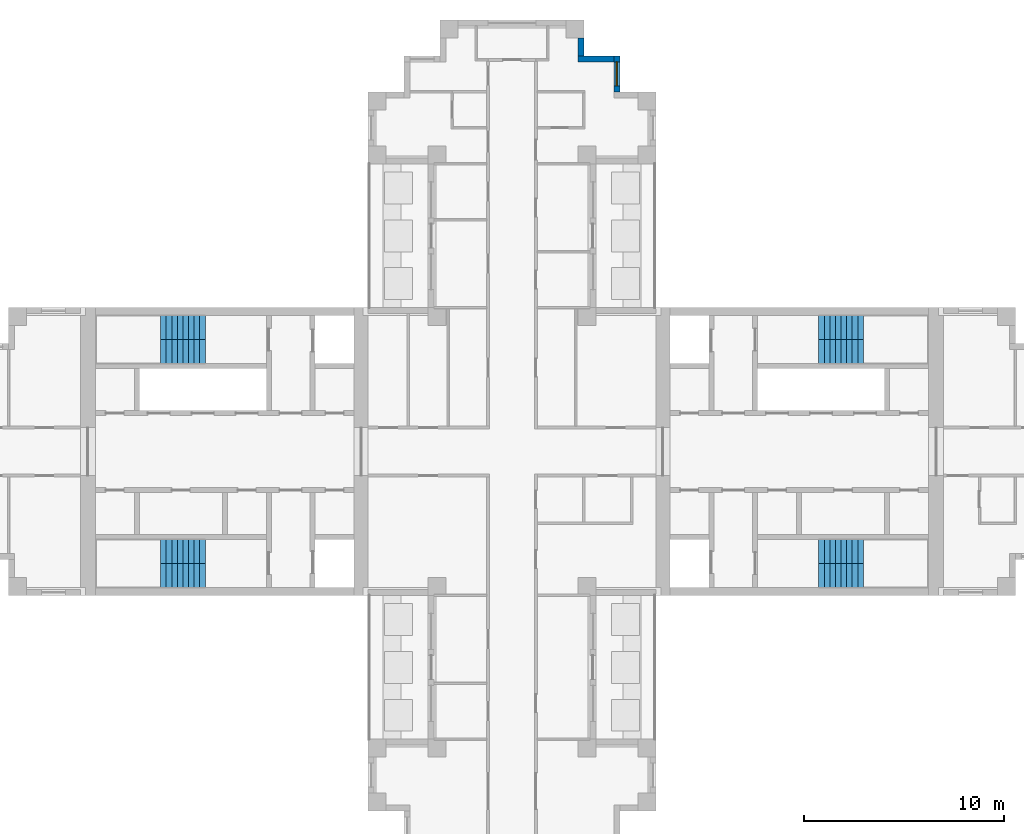
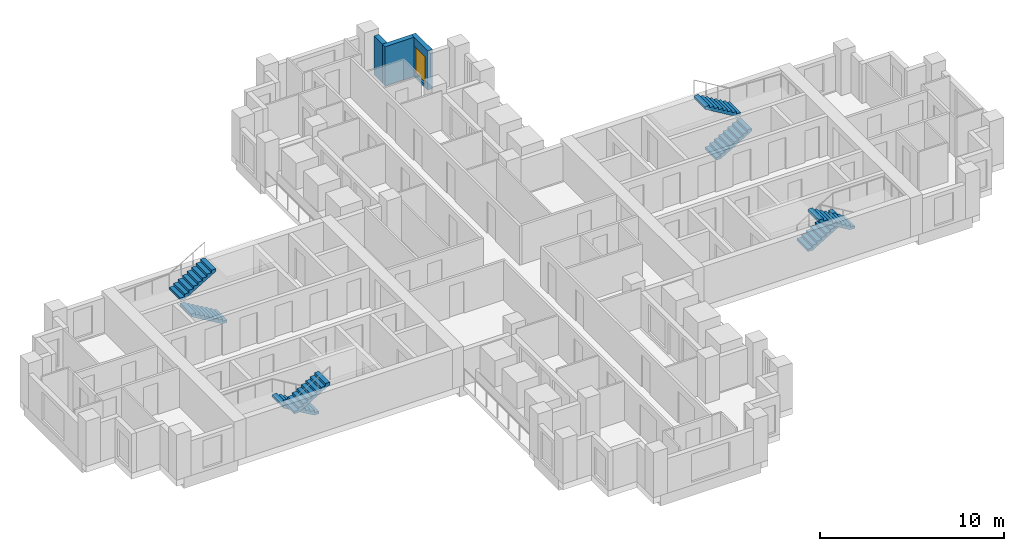
# One storey, part 8 of 10: 8 stair flights, 3 walls, 1 window, 1 opening, 4 elements without a shape of their own.
"""IFC4 building model written with IfcOpenShell, lengths in metres."""

from ifc_helpers import new_model, si_unit, direction, frame, frame_2d, origin, place, context, subcontext, project, spatial, polyline, rectangle, outline, extrude, material, layer, layer_set, type_object, element, fill, aggregate, save


model = new_model("IFC4")

# Units and contexts
model_context = context("Model", 3, precision=1e-05, world=origin(), true_north=direction((0.0, 1.0)))
body_context = subcontext(model_context, "Body", "Model", "MODEL_VIEW")
ifc_project = project(units=[si_unit("LENGTHUNIT", "METRE"), si_unit("AREAUNIT", "SQUARE_METRE"), si_unit("VOLUMEUNIT", "CUBIC_METRE"), si_unit("PLANEANGLEUNIT", "RADIAN"), si_unit("MASSUNIT", "GRAM", prefix="KILO")], contexts=[model_context])

# Site, building, storey
site_placement = place(None, origin())
site = spatial("IfcSite", under=ifc_project, at=site_placement, CompositionType="ELEMENT")
building_placement = place(site_placement, origin())
building = spatial("IfcBuilding", under=site, at=building_placement, Name="Fustian Cross Tower", CompositionType="ELEMENT")
storey_placement = place(building_placement, frame((0.0, 0.0, 207.89990234375)))
storey = spatial("IfcBuildingStorey", under=building, at=storey_placement, Name="L65", CompositionType="ELEMENT", Elevation=207.89990234375)

# Wall, opening, window
ifc_material_1 = material(Name="Dark aluminium cladding on insulated backing wall", Category="aluminium")
ifc_layer = layer(ifc_material_1, 0.300048828125)
ifc_layer_set = layer_set([ifc_layer], Name="Dark aluminium cladding on insulated backing wall")
wall_type = type_object("IfcWallType", Name="XW1 EXTERNAL WALL 300", PredefinedType="SOLIDWALL", material=ifc_layer_set)
wall_1_placement = place(storey_placement, frame((5.25, 18.0, 0.0), z_axis=(0.0, 0.0, 1.0), x_axis=(0.0, 1.0, 0.0)))
wall_1 = element("IfcWall", 1, at=wall_1_placement, inside=storey, type_object=wall_type, Name="External wall", PredefinedType="SOLIDWALL", context=body_context, shape_type="SweptSolid", body=[
    extrude(rectangle(XDim=1.800048828125, YDim=0.300048828125, at=frame_2d((0.89990234375, 0.0))), origin(), (0.0, 0.0, 1.0), 2.60009765625),
])
opening_placement = place(wall_1_placement, frame((0.300048828125, 0.0, 0.199951171875)))
opening = element("IfcOpeningElement", 2, at=opening_placement, cuts=wall_1, Name="Opening WN3", PredefinedType="OPENING", context=body_context, shape_type="SweptSolid", body=[
    extrude(rectangle(XDim=1.199951171875, YDim=1.85009765625, at=frame_2d((0.60009765625, 0.925048828125))), frame((0.0, 0.159912109375, 0.0), z_axis=(0.0, -1.0, 0.0), x_axis=(1.0, 0.0, 0.0)), (0.0, 0.0, 1.0), 0.320068359375),
])
ifc_material_2 = material(Name="Dark anodised aluminium and double glazing", Category="aluminium")
window_type = type_object("IfcWindowType", Name="WN3 WINDOW 1200X1850", PartitioningType="SINGLE_PANEL", PredefinedType="WINDOW", material=ifc_material_2)
window_placement = place(opening_placement, origin())
window = element("IfcWindow", 3, at=window_placement, inside=storey, type_object=window_type, Name="Window", OverallHeight=1.85009765625, OverallWidth=1.199951171875, PartitioningType="SINGLE_PANEL", PredefinedType="WINDOW", context=body_context, shape_type="SweptSolid", body=[
    extrude(rectangle(XDim=1.199951171875, YDim=1.85009765625, at=frame_2d((0.60009765625, 0.925048828125))), frame((0.0, 0.030029296875, 0.0), z_axis=(0.0, -1.0, 0.0), x_axis=(1.0, 0.0, 0.0)), (0.0, 0.0, 1.0), 0.06005859375),
])
fill(opening, window)

# Walls
wall_2_placement = place(storey_placement, frame((5.10009765625, 19.64990234375, 0.0), z_axis=(0.0, 0.0, 1.0), x_axis=(-1.0, 0.0, 0.0)))
element("IfcWall", 4, at=wall_2_placement, inside=storey, type_object=wall_type, Name="External wall", PredefinedType="SOLIDWALL", context=body_context, shape_type="SweptSolid", body=[
    extrude(rectangle(XDim=1.800048828125, YDim=0.300048828125, at=frame_2d((0.89990234375, 0.0))), origin(), (0.0, 0.0, 1.0), 2.60009765625),
])
wall_3_placement = place(storey_placement, frame((3.449951171875, 19.800048828125, 0.0), z_axis=(0.0, 0.0, 1.0), x_axis=(0.0, 1.0, 0.0)))
element("IfcWall", 5, at=wall_3_placement, inside=storey, type_object=wall_type, Name="External wall", PredefinedType="SOLIDWALL", context=body_context, shape_type="SweptSolid", body=[
    extrude(rectangle(XDim=0.89990234375, YDim=0.300048828125, at=frame_2d((0.449951171875, 0.0))), origin(), (0.0, 0.0, 1.0), 2.60009765625),
])

# Stair, stair flights
ifc_material_3 = material(Name="Concrete C50/60", Category="concrete")
stair_type = type_object("IfcStairType", Name="STAIR 1200 HALF TURN", PredefinedType="HALF_TURN_STAIR", material=ifc_material_3)
stair_1_placement = place(storey_placement, origin())
stair_1 = element("IfcStair", 6, at=stair_1_placement, inside=storey, type_object=stair_type, Name="Stair ST1", PredefinedType="HALF_TURN_STAIR")
ifc_material_4 = material(Name="Concrete C50/60", Category="concrete")
stair_flight_type = type_object("IfcStairFlightType", Name="STAIR FLIGHT 1200", PredefinedType="STRAIGHT", material=ifc_material_4)
stair_flight_1_placement = place(storey_placement, frame((15.35009765625, 5.0, 0.0), z_axis=(0.0, 0.0, 1.0), x_axis=(1.0, 0.0, 0.0)))
stair_flight_1 = element("IfcStairFlight", 7, at=stair_flight_1_placement, type_object=stair_flight_type, Name="ST1 flight 1", NumberOfRisers=9, NumberOfTreads=8, PredefinedType="STRAIGHT", RiserHeight=0.166666667, TreadLength=0.28, context=body_context, shape_type="SweptSolid", body=[
    extrude(outline(polyline([(0.0, 0.0), (0.0, 0.166748046875), (0.280029296875, 0.166748046875), (0.280029296875, 0.333251953125), (0.56005859375, 0.333251953125), (0.56005859375, 0.5), (0.840087890625, 0.5), (0.840087890625, 0.666748046875), (1.1201171875, 0.666748046875), (1.1201171875, 0.833251953125), (1.39990234375, 0.833251953125), (1.39990234375, 1.0), (1.679931640625, 1.0), (1.679931640625, 1.166748046875), (1.9599609375, 1.166748046875), (1.9599609375, 1.333251953125), (2.239990234375, 1.333251953125), (2.239990234375, 1.5), (2.239990234375, 1.158935546875), (0.29296875, 0.0), (0.0, 0.0)])), frame((0.0, 0.60009765625, 0.0), z_axis=(0.0, -1.0, 0.0), x_axis=(1.0, 0.0, 0.0)), (0.0, 0.0, 1.0), 1.199951171875),
])
stair_flight_2_placement = place(storey_placement, frame((17.590087890625, 6.199951171875, 1.5), z_axis=(0.0, 0.0, 1.0), x_axis=(-1.0, 0.0, 0.0)))
stair_flight_2 = element("IfcStairFlight", 8, at=stair_flight_2_placement, type_object=stair_flight_type, Name="ST1 flight 2", NumberOfRisers=9, NumberOfTreads=8, PredefinedType="STRAIGHT", RiserHeight=0.166666667, TreadLength=0.28, context=body_context, shape_type="SweptSolid", body=[
    extrude(outline(polyline([(0.0, 0.0), (0.0, 0.166748046875), (0.280029296875, 0.166748046875), (0.280029296875, 0.333251953125), (0.56005859375, 0.333251953125), (0.56005859375, 0.5), (0.840087890625, 0.5), (0.840087890625, 0.666748046875), (1.1201171875, 0.666748046875), (1.1201171875, 0.833251953125), (1.39990234375, 0.833251953125), (1.39990234375, 1.0), (1.679931640625, 1.0), (1.679931640625, 1.166748046875), (1.9599609375, 1.166748046875), (1.9599609375, 1.333251953125), (2.239990234375, 1.333251953125), (2.239990234375, 1.5), (2.239990234375, 1.158935546875), (0.29296875, 0.0), (0.0, 0.0)])), frame((0.0, 0.60009765625, 0.0), z_axis=(0.0, -1.0, 0.0), x_axis=(1.0, 0.0, 0.0)), (0.0, 0.0, 1.0), 1.199951171875),
])
aggregate(stair_1, [stair_flight_1, stair_flight_2])

stair_2_placement = place(storey_placement, origin())
stair_2 = element("IfcStair", 9, at=stair_2_placement, inside=storey, type_object=stair_type, Name="Stair ST2", PredefinedType="HALF_TURN_STAIR")
stair_flight_3_placement = place(storey_placement, frame((15.35009765625, -5.0, 0.0), z_axis=(0.0, 0.0, 1.0), x_axis=(1.0, 0.0, 0.0)))
stair_flight_3 = element("IfcStairFlight", 10, at=stair_flight_3_placement, type_object=stair_flight_type, Name="ST2 flight 1", NumberOfRisers=9, NumberOfTreads=8, PredefinedType="STRAIGHT", RiserHeight=0.166666667, TreadLength=0.28, context=body_context, shape_type="SweptSolid", body=[
    extrude(outline(polyline([(0.0, 0.0), (0.0, 0.166748046875), (0.280029296875, 0.166748046875), (0.280029296875, 0.333251953125), (0.56005859375, 0.333251953125), (0.56005859375, 0.5), (0.840087890625, 0.5), (0.840087890625, 0.666748046875), (1.1201171875, 0.666748046875), (1.1201171875, 0.833251953125), (1.39990234375, 0.833251953125), (1.39990234375, 1.0), (1.679931640625, 1.0), (1.679931640625, 1.166748046875), (1.9599609375, 1.166748046875), (1.9599609375, 1.333251953125), (2.239990234375, 1.333251953125), (2.239990234375, 1.5), (2.239990234375, 1.158935546875), (0.29296875, 0.0), (0.0, 0.0)])), frame((0.0, 0.60009765625, 0.0), z_axis=(0.0, -1.0, 0.0), x_axis=(1.0, 0.0, 0.0)), (0.0, 0.0, 1.0), 1.199951171875),
])
stair_flight_4_placement = place(storey_placement, frame((17.590087890625, -6.199951171875, 1.5), z_axis=(0.0, 0.0, 1.0), x_axis=(-1.0, 0.0, 0.0)))
stair_flight_4 = element("IfcStairFlight", 11, at=stair_flight_4_placement, type_object=stair_flight_type, Name="ST2 flight 2", NumberOfRisers=9, NumberOfTreads=8, PredefinedType="STRAIGHT", RiserHeight=0.166666667, TreadLength=0.28, context=body_context, shape_type="SweptSolid", body=[
    extrude(outline(polyline([(0.0, 0.0), (0.0, 0.166748046875), (0.280029296875, 0.166748046875), (0.280029296875, 0.333251953125), (0.56005859375, 0.333251953125), (0.56005859375, 0.5), (0.840087890625, 0.5), (0.840087890625, 0.666748046875), (1.1201171875, 0.666748046875), (1.1201171875, 0.833251953125), (1.39990234375, 0.833251953125), (1.39990234375, 1.0), (1.679931640625, 1.0), (1.679931640625, 1.166748046875), (1.9599609375, 1.166748046875), (1.9599609375, 1.333251953125), (2.239990234375, 1.333251953125), (2.239990234375, 1.5), (2.239990234375, 1.158935546875), (0.29296875, 0.0), (0.0, 0.0)])), frame((0.0, 0.60009765625, 0.0), z_axis=(0.0, -1.0, 0.0), x_axis=(1.0, 0.0, 0.0)), (0.0, 0.0, 1.0), 1.199951171875),
])
aggregate(stair_2, [stair_flight_3, stair_flight_4])

stair_3_placement = place(storey_placement, origin())
stair_3 = element("IfcStair", 12, at=stair_3_placement, inside=storey, type_object=stair_type, Name="Stair ST3", PredefinedType="HALF_TURN_STAIR")
stair_flight_5_placement = place(storey_placement, frame((-15.35009765625, 5.0, 0.0), z_axis=(0.0, 0.0, 1.0), x_axis=(-1.0, 0.0, 0.0)))
stair_flight_5 = element("IfcStairFlight", 13, at=stair_flight_5_placement, type_object=stair_flight_type, Name="ST3 flight 1", NumberOfRisers=9, NumberOfTreads=8, PredefinedType="STRAIGHT", RiserHeight=0.166666667, TreadLength=0.28, context=body_context, shape_type="SweptSolid", body=[
    extrude(outline(polyline([(0.0, 0.0), (0.0, 0.166748046875), (0.280029296875, 0.166748046875), (0.280029296875, 0.333251953125), (0.56005859375, 0.333251953125), (0.56005859375, 0.5), (0.840087890625, 0.5), (0.840087890625, 0.666748046875), (1.1201171875, 0.666748046875), (1.1201171875, 0.833251953125), (1.39990234375, 0.833251953125), (1.39990234375, 1.0), (1.679931640625, 1.0), (1.679931640625, 1.166748046875), (1.9599609375, 1.166748046875), (1.9599609375, 1.333251953125), (2.239990234375, 1.333251953125), (2.239990234375, 1.5), (2.239990234375, 1.158935546875), (0.29296875, 0.0), (0.0, 0.0)])), frame((0.0, 0.60009765625, 0.0), z_axis=(0.0, -1.0, 0.0), x_axis=(1.0, 0.0, 0.0)), (0.0, 0.0, 1.0), 1.199951171875),
])
stair_flight_6_placement = place(storey_placement, frame((-17.590087890625, 6.199951171875, 1.5), z_axis=(0.0, 0.0, 1.0), x_axis=(1.0, 0.0, 0.0)))
stair_flight_6 = element("IfcStairFlight", 14, at=stair_flight_6_placement, type_object=stair_flight_type, Name="ST3 flight 2", NumberOfRisers=9, NumberOfTreads=8, PredefinedType="STRAIGHT", RiserHeight=0.166666667, TreadLength=0.28, context=body_context, shape_type="SweptSolid", body=[
    extrude(outline(polyline([(0.0, 0.0), (0.0, 0.166748046875), (0.280029296875, 0.166748046875), (0.280029296875, 0.333251953125), (0.56005859375, 0.333251953125), (0.56005859375, 0.5), (0.840087890625, 0.5), (0.840087890625, 0.666748046875), (1.1201171875, 0.666748046875), (1.1201171875, 0.833251953125), (1.39990234375, 0.833251953125), (1.39990234375, 1.0), (1.679931640625, 1.0), (1.679931640625, 1.166748046875), (1.9599609375, 1.166748046875), (1.9599609375, 1.333251953125), (2.239990234375, 1.333251953125), (2.239990234375, 1.5), (2.239990234375, 1.158935546875), (0.29296875, 0.0), (0.0, 0.0)])), frame((0.0, 0.60009765625, 0.0), z_axis=(0.0, -1.0, 0.0), x_axis=(1.0, 0.0, 0.0)), (0.0, 0.0, 1.0), 1.199951171875),
])
aggregate(stair_3, [stair_flight_5, stair_flight_6])

stair_4_placement = place(storey_placement, origin())
stair_4 = element("IfcStair", 15, at=stair_4_placement, inside=storey, type_object=stair_type, Name="Stair ST4", PredefinedType="HALF_TURN_STAIR")
stair_flight_7_placement = place(storey_placement, frame((-15.35009765625, -5.0, 0.0), z_axis=(0.0, 0.0, 1.0), x_axis=(-1.0, 0.0, 0.0)))
stair_flight_7 = element("IfcStairFlight", 16, at=stair_flight_7_placement, type_object=stair_flight_type, Name="ST4 flight 1", NumberOfRisers=9, NumberOfTreads=8, PredefinedType="STRAIGHT", RiserHeight=0.166666667, TreadLength=0.28, context=body_context, shape_type="SweptSolid", body=[
    extrude(outline(polyline([(0.0, 0.0), (0.0, 0.166748046875), (0.280029296875, 0.166748046875), (0.280029296875, 0.333251953125), (0.56005859375, 0.333251953125), (0.56005859375, 0.5), (0.840087890625, 0.5), (0.840087890625, 0.666748046875), (1.1201171875, 0.666748046875), (1.1201171875, 0.833251953125), (1.39990234375, 0.833251953125), (1.39990234375, 1.0), (1.679931640625, 1.0), (1.679931640625, 1.166748046875), (1.9599609375, 1.166748046875), (1.9599609375, 1.333251953125), (2.239990234375, 1.333251953125), (2.239990234375, 1.5), (2.239990234375, 1.158935546875), (0.29296875, 0.0), (0.0, 0.0)])), frame((0.0, 0.60009765625, 0.0), z_axis=(0.0, -1.0, 0.0), x_axis=(1.0, 0.0, 0.0)), (0.0, 0.0, 1.0), 1.199951171875),
])
stair_flight_8_placement = place(storey_placement, frame((-17.590087890625, -6.199951171875, 1.5), z_axis=(0.0, 0.0, 1.0), x_axis=(1.0, 0.0, 0.0)))
stair_flight_8 = element("IfcStairFlight", 17, at=stair_flight_8_placement, type_object=stair_flight_type, Name="ST4 flight 2", NumberOfRisers=9, NumberOfTreads=8, PredefinedType="STRAIGHT", RiserHeight=0.166666667, TreadLength=0.28, context=body_context, shape_type="SweptSolid", body=[
    extrude(outline(polyline([(0.0, 0.0), (0.0, 0.166748046875), (0.280029296875, 0.166748046875), (0.280029296875, 0.333251953125), (0.56005859375, 0.333251953125), (0.56005859375, 0.5), (0.840087890625, 0.5), (0.840087890625, 0.666748046875), (1.1201171875, 0.666748046875), (1.1201171875, 0.833251953125), (1.39990234375, 0.833251953125), (1.39990234375, 1.0), (1.679931640625, 1.0), (1.679931640625, 1.166748046875), (1.9599609375, 1.166748046875), (1.9599609375, 1.333251953125), (2.239990234375, 1.333251953125), (2.239990234375, 1.5), (2.239990234375, 1.158935546875), (0.29296875, 0.0), (0.0, 0.0)])), frame((0.0, 0.60009765625, 0.0), z_axis=(0.0, -1.0, 0.0), x_axis=(1.0, 0.0, 0.0)), (0.0, 0.0, 1.0), 1.199951171875),
])
aggregate(stair_4, [stair_flight_7, stair_flight_8])

save(model, "model.ifc")
